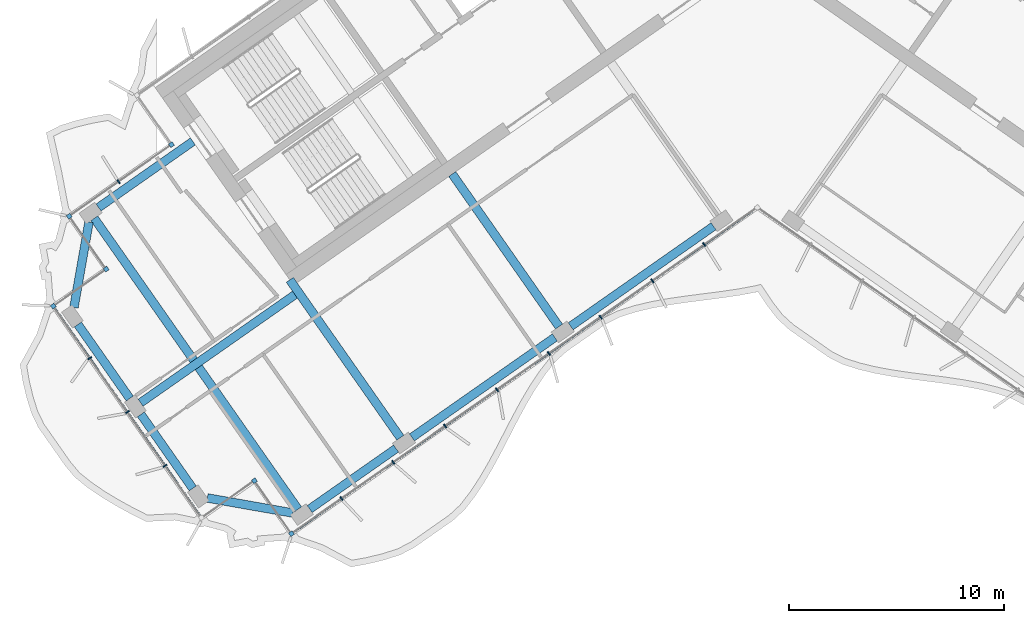
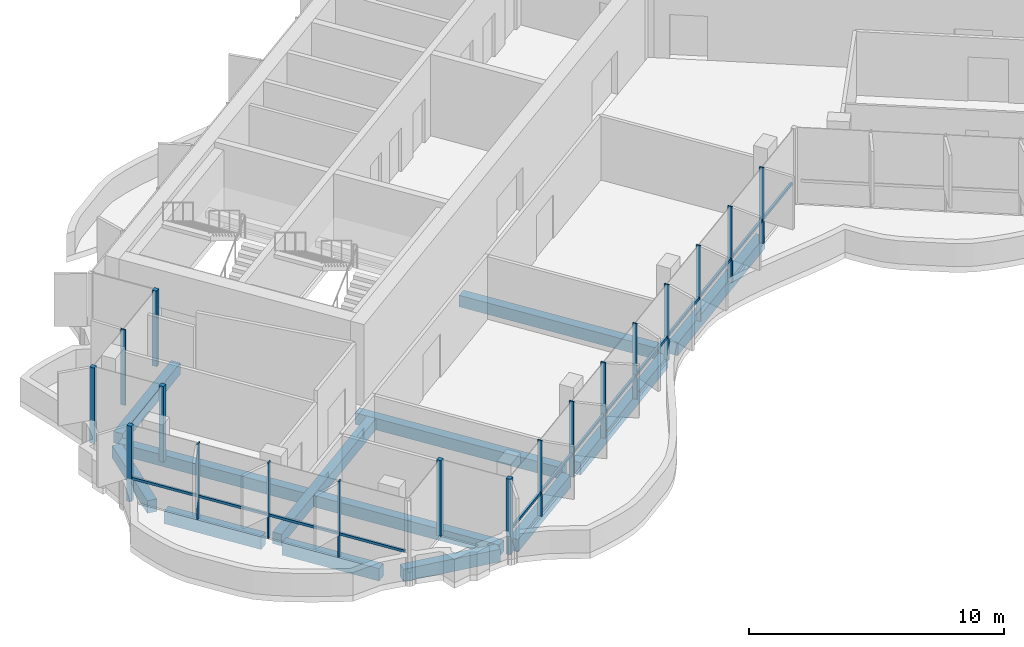
# One storey, part 2 of 18: 20 members, 12 beams, 2 elements without a shape of their own.
"""IFC4 building model written with IfcOpenShell, lengths in metres."""

import ifcopenshell
import ifcopenshell.guid

model = None  # the IFC model being written
_history = None  # IfcOwnerHistory: only IFC2X3 demands one
_inside = {}  # id of a spatial element -> (the spatial element, [elements in it])
_under = {}  # id of a project, library or spatial element -> (it, [spatial elements below it])
_declared = {}  # id of a project -> (the project, [libraries it declares])
_typed = {}  # id of a type object -> (the type object, [elements of that type])
_made_of = {}  # id of a material, layer set ... -> (it, [elements and type objects made of it])


def new_model(schema):
    """Start an empty IFC model of exactly this schema.

    Asked for "IFC4X3", IfcOpenShell would pick the latest addendum, in which some entities
    have other attributes; the version numbers below select the first issue.
    IFC2X3 requires an IfcOwnerHistory on every rooted entity: one is made here for all.
    """
    global model, _history
    if schema == "IFC4X3":
        model = ifcopenshell.file(schema_version=(4, 3, 0, 0))
    else:
        model = ifcopenshell.file(schema=schema)
    _inside.clear()
    _under.clear()
    _declared.clear()
    _typed.clear()
    _made_of.clear()
    _history = None
    if model.schema == "IFC2X3":
        org = make("IfcOrganization", Name="unknown")
        user = make(
            "IfcPersonAndOrganization",
            ThePerson=make("IfcPerson", FamilyName="unknown"),
            TheOrganization=org,
        )
        app = make(
            "IfcApplication",
            ApplicationDeveloper=org,
            Version="unknown",
            ApplicationFullName="unknown",
            ApplicationIdentifier="unknown",
        )
        _history = make(
            "IfcOwnerHistory",
            OwningUser=user,
            OwningApplication=app,
            ChangeAction="ADDED",
            CreationDate=0,
        )
    return model


def make(cls, **values):
    """One entity of the class cls with the attributes given. An attribute that is None is left unset."""
    return model.create_entity(
        cls, **{name: value for name, value in values.items() if value is not None}
    )


def rooted(cls, **values):
    """An entity with a GlobalId (a new one), such as an element, a storey or a relation."""
    return make(cls, GlobalId=ifcopenshell.guid.new(), OwnerHistory=_history, **values)


def si_unit(unit_type, name, prefix=None):
    """IfcSIUnit, for example si_unit("LENGTHUNIT", "METRE", prefix="MILLI")."""
    return make("IfcSIUnit", UnitType=unit_type, Prefix=prefix, Name=name)


def assignment(units):
    """IfcUnitAssignment: the units of a project."""
    return None if units is None else make("IfcUnitAssignment", Units=units)


def point(xyz):
    """IfcCartesianPoint."""
    return None if xyz is None else make("IfcCartesianPoint", Coordinates=xyz)


def direction(xyz):
    """IfcDirection."""
    return None if xyz is None else make("IfcDirection", DirectionRatios=xyz)


def frame(location, z_axis=None, x_axis=None):
    """IfcAxis2Placement3D, a coordinate frame: its origin and axes. An axis left out is left unset."""
    return make(
        "IfcAxis2Placement3D",
        Location=point(location),
        Axis=direction(z_axis),
        RefDirection=direction(x_axis),
    )


def frame_2d(location, x_axis=None):
    """IfcAxis2Placement2D, a coordinate frame in the plane: its origin and x axis."""
    return make(
        "IfcAxis2Placement2D", Location=point(location), RefDirection=direction(x_axis)
    )


def origin():
    """The frame at (0, 0, 0) with its axes left unset."""
    return frame((0.0, 0.0, 0.0))


def origin_2d():
    """The frame at (0, 0) in the plane with its x axis left unset."""
    return frame_2d((0.0, 0.0))


def place(relative_to, where):
    """IfcLocalPlacement: puts the frame where relative to a parent placement (None: the world)."""
    return make(
        "IfcLocalPlacement", PlacementRelTo=relative_to, RelativePlacement=where
    )


def context(
    kind, dimensions, precision=None, world=None, true_north=None, identifier=None
):
    """IfcGeometricRepresentationContext, for example the 3D "Model" context."""
    return make(
        "IfcGeometricRepresentationContext",
        ContextIdentifier=identifier,
        ContextType=kind,
        CoordinateSpaceDimension=dimensions,
        Precision=precision,
        WorldCoordinateSystem=world,
        TrueNorth=true_north,
    )


def subcontext(parent, identifier, kind, view, scale=None):
    """IfcGeometricRepresentationSubContext, for example "Body" below "Model"."""
    return make(
        "IfcGeometricRepresentationSubContext",
        ContextIdentifier=identifier,
        ContextType=kind,
        ParentContext=parent,
        TargetScale=scale,
        TargetView=view,
    )


def project(units=None, contexts=None):
    """IfcProject with its units and contexts."""
    return rooted(
        "IfcProject",
        Name="project",
        RepresentationContexts=contexts,
        UnitsInContext=assignment(units),
    )


def spatial(cls, under=None, at=None, **own):
    """A site, building, storey or space (cls), placed at a placement, below another one or the project."""
    s = rooted(cls, ObjectPlacement=at, **own)
    if under is not None:
        _under.setdefault(under.id(), (under, []))[1].append(s)
    return s


def profile(cls, at=None, kind="AREA", **sizes):
    """A parametric profile (cls). Its sizes go by their IFC names, for example OverallWidth=200.0."""
    return make(cls, ProfileType=kind, Position=at, **sizes)


def rectangle(**sizes):
    """IfcRectangleProfileDef."""
    return profile("IfcRectangleProfileDef", **sizes)


def extrude(swept, where, along, depth):
    """IfcExtrudedAreaSolid: the profile swept, set in the frame where, extruded along a direction by depth."""
    return make(
        "IfcExtrudedAreaSolid",
        SweptArea=swept,
        Position=where,
        ExtrudedDirection=direction(along),
        Depth=depth,
    )


def shape(context_of_items, identifier, shape_type, items):
    """IfcShapeRepresentation: the items that make up one representation, for example the "Body"."""
    return make(
        "IfcShapeRepresentation",
        ContextOfItems=context_of_items,
        RepresentationIdentifier=identifier,
        RepresentationType=shape_type,
        Items=items,
    )


def material(Name=None, Category=None):
    """IfcMaterial."""
    return make("IfcMaterial", Name=Name, Category=Category)


def material_profile(
    of_material, cross_section, Name=None, Category=None, Priority=None
):
    """IfcMaterialProfile: a cross section and its material."""
    return make(
        "IfcMaterialProfile",
        Name=Name,
        Material=of_material,
        Profile=cross_section,
        Priority=Priority,
        Category=Category,
    )


def profile_set(profiles, Name=None, composite=None):
    """IfcMaterialProfileSet."""
    return make(
        "IfcMaterialProfileSet",
        Name=Name,
        MaterialProfiles=profiles,
        CompositeProfile=composite,
    )


def made_of(thing, what):
    """Note that an element or type object is made of a material, layer set ...; save() writes the relation."""
    if what is not None:
        _made_of.setdefault(what.id(), (what, []))[1].append(thing)
    return thing


def type_object(cls, material=None, **own):
    """A type object (cls), such as IfcWallType, which elements share."""
    return made_of(rooted(cls, **own), material)


def element(
    cls,
    number,
    at=None,
    inside=None,
    cuts=None,
    type_object=None,
    material=None,
    context=None,
    identifier="Body",
    shape_type=None,
    held_by="IfcProductDefinitionShape",
    body=None,
    shapes=None,
    **own,
):
    """One element of the class cls, such as IfcWall. Its Tag is "e" and its number.

    at: its placement. inside: the storey or other place that contains it. cuts: it is an
    opening in that element (IfcRelVoidsElement). A single representation is given by context,
    identifier, shape_type and body (its items); several are given by shapes. held_by: the class
    of the entity that holds the representations. save() writes the other relations.
    """
    e = rooted(cls, Tag="e%d" % number, ObjectPlacement=at, **own)
    if body is not None:
        shapes = [shape(context, identifier, shape_type, body)]
    if shapes is not None:
        e.Representation = make(held_by, Representations=shapes)
    if inside is not None:
        _inside.setdefault(inside.id(), (inside, []))[1].append(e)
    if cuts is not None:
        rooted(
            "IfcRelVoidsElement", RelatingBuildingElement=cuts, RelatedOpeningElement=e
        )
    if type_object is not None:
        _typed.setdefault(type_object.id(), (type_object, []))[1].append(e)
    return made_of(e, material)


def aggregate(whole, parts):
    """IfcRelAggregates: a whole, such as a stair, and the parts it consists of."""
    return rooted("IfcRelAggregates", RelatingObject=whole, RelatedObjects=parts)


def save(model, path):
    """Write the relations noted so far, then the file.

    IfcRelAggregates (storeys below a building ...), IfcRelContainedInSpatialStructure (elements
    in a storey), IfcRelDefinesByType, IfcRelAssociatesMaterial and IfcRelDeclares: one each for
    every whole, place, type object, material and project.
    """
    for whole, parts in _under.values():
        aggregate(whole, parts)
    for where, things in _inside.values():
        rooted(
            "IfcRelContainedInSpatialStructure",
            RelatedElements=things,
            RelatingStructure=where,
        )
    for kind, things in _typed.values():
        rooted("IfcRelDefinesByType", RelatedObjects=things, RelatingType=kind)
    for what, things in _made_of.values():
        rooted("IfcRelAssociatesMaterial", RelatedObjects=things, RelatingMaterial=what)
    for by, libraries in _declared.values():
        rooted("IfcRelDeclares", RelatingContext=by, RelatedDefinitions=libraries)
    model.write(path)


model = new_model("IFC4")

# Units and contexts
model_context = context("Model", 3, precision=1e-05, world=origin(), true_north=direction((0.0, 1.0)))
body_context = subcontext(model_context, "Body", "Model", "MODEL_VIEW")
ifc_project = project(units=[si_unit("LENGTHUNIT", "METRE"), si_unit("AREAUNIT", "SQUARE_METRE"), si_unit("VOLUMEUNIT", "CUBIC_METRE"), si_unit("PLANEANGLEUNIT", "RADIAN"), si_unit("MASSUNIT", "GRAM", prefix="KILO")], contexts=[model_context])

# Site, building, storey
site_placement = place(None, origin())
site = spatial("IfcSite", under=ifc_project, at=site_placement, CompositionType="ELEMENT")
building_placement = place(site_placement, origin())
building = spatial("IfcBuilding", under=site, at=building_placement, Name="Tel Ilan Convention Tower", CompositionType="ELEMENT")
storey_placement = place(building_placement, frame((0.0, 0.0, 268.300048828125)))
storey = spatial("IfcBuildingStorey", under=building, at=storey_placement, Name="L63", CompositionType="ELEMENT", Elevation=268.300048828125)

# Beams
ifc_material_1 = material(Name="Concrete C40/50", Category="concrete")
ifc_material_profile_1 = material_profile(ifc_material_1, rectangle(XDim=0.39990234375, YDim=0.550048828125, at=origin_2d()), Name="RC 400x550")
ifc_profile_set_1 = profile_set([ifc_material_profile_1], Name="Concrete C40/50")
beam_type_1 = type_object("IfcBeamType", Name="Beam RC 400x550 Concrete C40/50", PredefinedType="BEAM", material=ifc_profile_set_1)
beam_1_placement = place(storey_placement, frame((-30.6005859375, -12.6982421875, -0.554931640625), z_axis=(0.819146154531, 0.573584847705, 0.0), x_axis=(-0.573584847705, 0.819146154531, 0.0)))
element("IfcBeam", 1, at=beam_1_placement, inside=storey, type_object=beam_type_1, Name="L63 beam W-W-BC-core", PredefinedType="BEAM", context=body_context, shape_type="SweptSolid", body=[
    extrude(rectangle(XDim=0.39990234375, YDim=0.550048828125, at=origin_2d()), origin(), (0.0, 0.0, 1.0), 5.349853515625),
])
beam_2_placement = place(storey_placement, frame((-9.209716796875, -18.229248046875, -0.554931640625), z_axis=(-0.573574099654, 0.819153680457, 0.0), x_axis=(-0.819153680457, -0.573574099654, 0.0)))
element("IfcBeam", 2, at=beam_2_placement, inside=storey, type_object=beam_type_1, Name="L63 beam W-W-F2-core", PredefinedType="BEAM", context=body_context, shape_type="SweptSolid", body=[
    extrude(rectangle(XDim=0.39990234375, YDim=0.550048828125, at=origin_2d()), origin(), (0.0, 0.0, 1.0), 8.64990234375),
])
beam_3_placement = place(storey_placement, frame((-16.58203125, -23.391357421875, -0.554931640625), z_axis=(-0.573584999642, 0.819146048141, 0.0), x_axis=(-0.819146048141, -0.573584999642, 0.0)))
element("IfcBeam", 3, at=beam_3_placement, inside=storey, type_object=beam_type_1, Name="L63 beam W-W-F3-core", PredefinedType="BEAM", context=body_context, shape_type="SweptSolid", body=[
    extrude(rectangle(XDim=0.39990234375, YDim=0.550048828125, at=origin_2d()), origin(), (0.0, 0.0, 1.0), 8.949951171875),
])
beam_4_placement = place(storey_placement, frame((-21.477783203125, -16.748046875, -0.554931640625), z_axis=(-0.819157197737, -0.573569076395, 0.0), x_axis=(0.573569076395, -0.819157197737, 0.0)))
element("IfcBeam", 4, at=beam_4_placement, inside=storey, type_object=beam_type_1, Name="L63 beam W-core-end", PredefinedType="BEAM", context=body_context, shape_type="SweptSolid", body=[
    extrude(rectangle(XDim=0.39990234375, YDim=0.550048828125, at=origin_2d()), origin(), (0.0, 0.0, 1.0), 8.75),
])
beam_5_placement = place(storey_placement, frame((-21.333251953125, -26.718017578125, -0.554931640625), z_axis=(-0.573574554643, 0.819153361872, 0.0), x_axis=(-0.819153361872, -0.573574554643, 0.0)))
element("IfcBeam", 5, at=beam_5_placement, inside=storey, type_object=beam_type_1, Name="L63 beam W-W-FC-W-BC", PredefinedType="BEAM", context=body_context, shape_type="SweptSolid", body=[
    extrude(rectangle(XDim=0.39990234375, YDim=0.550048828125, at=origin_2d()), origin(), (0.0, 0.0, 1.0), 16.499755859375),
])
ifc_material_2 = material(Name="Concrete C40/50", Category="concrete")
ifc_material_profile_2 = material_profile(ifc_material_2, rectangle(XDim=0.39990234375, YDim=0.60009765625, at=origin_2d()), Name="RC 400x600")
ifc_profile_set_2 = profile_set([ifc_material_profile_2], Name="Concrete C40/50")
beam_type_2 = type_object("IfcBeamType", Name="Beam RC 400x600 Concrete C40/50", PredefinedType="BEAM", material=ifc_profile_set_2)
beam_6_placement = place(storey_placement, frame((-2.033935546875, -13.57080078125, -0.580078125), z_axis=(-0.81914553362, -0.573585734437, 0.0), x_axis=(0.573585734437, -0.81914553362, 0.0)))
element("IfcBeam", 6, at=beam_6_placement, inside=storey, type_object=beam_type_2, Name="L63 beam W-W-F1-W-F2", PredefinedType="BEAM", context=body_context, shape_type="SweptSolid", body=[
    extrude(rectangle(XDim=0.39990234375, YDim=0.60009765625, at=origin_2d()), origin(), (0.0, 0.0, 1.0), 8.099853515625),
])
beam_7_placement = place(storey_placement, frame((-9.40625, -18.73291015625, -0.580078125), z_axis=(-0.819155449703, -0.573571572885, 0.0), x_axis=(0.573571572885, -0.819155449703, 0.0)))
element("IfcBeam", 7, at=beam_7_placement, inside=storey, type_object=beam_type_2, Name="L63 beam W-W-F2-W-F3", PredefinedType="BEAM", context=body_context, shape_type="SweptSolid", body=[
    extrude(rectangle(XDim=0.39990234375, YDim=0.60009765625, at=origin_2d()), origin(), (0.0, 0.0, 1.0), 8.10009765625),
])
beam_8_placement = place(storey_placement, frame((-16.778564453125, -23.895263671875, -0.580078125), z_axis=(-0.819154669329, -0.573572687386, 0.0), x_axis=(0.573572687386, -0.819154669329, 0.0)))
element("IfcBeam", 8, at=beam_8_placement, inside=storey, type_object=beam_type_2, Name="L63 beam W-W-F3-W-FC", PredefinedType="BEAM", context=body_context, shape_type="SweptSolid", body=[
    extrude(rectangle(XDim=0.39990234375, YDim=0.60009765625, at=origin_2d()), origin(), (0.0, 0.0, 1.0), 4.900146484375),
])
beam_9_placement = place(storey_placement, frame((-21.578857421875, -26.89013671875, -0.580078125), z_axis=(-0.984804894423, 0.173664388751, 0.0), x_axis=(-0.173664388751, -0.984804894423, 0.0)))
element("IfcBeam", 9, at=beam_9_placement, inside=storey, type_object=beam_type_2, Name="L63 beam W-W-FC-W-E1", PredefinedType="BEAM", context=body_context, shape_type="SweptSolid", body=[
    extrude(rectangle(XDim=0.39990234375, YDim=0.60009765625, at=origin_2d()), origin(), (0.0, 0.0, 1.0), 4.030517578125),
])
for number, where, z_axis, x_axis, name in (
    (10, (-26.22412109375, -25.748046875, -0.580078125), (-0.573563773994, 0.819160910421, 0.0), (-0.819160910421, -0.573563773994, 0.0), "L63 beam W-W-E1-W-E2"),
    (11, (-29.1494140625, -21.5703125, -0.580078125), (-0.573563773994, 0.819160910421, 0.0), (-0.819160910421, -0.573563773994, 0.0), "L63 beam W-W-E2-W-E3"),
):
    element("IfcBeam", number, at=place(storey_placement, frame(where, z_axis=z_axis, x_axis=x_axis)), inside=storey, type_object=beam_type_2, Name=name, PredefinedType="BEAM", context=body_context, shape_type="SweptSolid", body=[
        extrude(rectangle(XDim=0.39990234375, YDim=0.60009765625, at=origin_2d()), origin(), (0.0, 0.0, 1.0), 4.199951171875),
    ])
beam_10_placement = place(storey_placement, frame((-31.742919921875, -17.343505859375, -0.580078125), z_axis=(0.173664388751, 0.984804894423, 0.0), x_axis=(-0.984804894423, 0.173664388751, 0.0)))
element("IfcBeam", 12, at=beam_10_placement, inside=storey, type_object=beam_type_2, Name="L63 beam W-W-E3-W-BC", PredefinedType="BEAM", context=body_context, shape_type="SweptSolid", body=[
    extrude(rectangle(XDim=0.39990234375, YDim=0.60009765625, at=origin_2d()), origin(), (0.0, 0.0, 1.0), 4.030517578125),
])

# Curtain wall, member
ifc_material_3 = material(Name="Aluminium, bronze anodised", Category="aluminium")
curtain_wall_type_1 = type_object("IfcCurtainWallType", Name="CW2 STICK CURTAIN WALL, SPANDREL PANELS", PredefinedType="NOTDEFINED", material=ifc_material_3)
curtain_wall_1_placement = place(storey_placement, origin())
curtain_wall_1 = element("IfcCurtainWall", 13, at=curtain_wall_1_placement, inside=storey, type_object=curtain_wall_type_1, Name="Curtain wall CW2-48.01", PredefinedType="NOTDEFINED")
ifc_material_4 = material(Name="Aluminium, bronze anodised", Category="aluminium")
ifc_material_profile_3 = material_profile(ifc_material_4, rectangle(XDim=0.199951171875, YDim=0.199951171875, at=origin_2d()), Name="CW CORNER MULLION 200x200")
ifc_profile_set_3 = profile_set([ifc_material_profile_3], Name="Aluminium, bronze anodised")
member_type_1 = type_object("IfcMemberType", Name="CW CORNER MULLION 200x200", PredefinedType="MULLION", material=ifc_profile_set_3)
member_1_placement = place(storey_placement, frame((-27.213623046875, -9.77734375, 0.0), z_axis=(0.0, 0.0, 1.0), x_axis=(0.573576436351, -0.819152044289, 0.0)))
member_1 = element("IfcMember", 14, at=member_1_placement, type_object=member_type_1, Name="Corner mullion", PredefinedType="MULLION", context=body_context, shape_type="SweptSolid", body=[
    extrude(rectangle(XDim=0.199951171875, YDim=0.199951171875, at=origin_2d()), origin(), (0.0, 0.0, 1.0), 3.619873046875),
])
aggregate(curtain_wall_1, [member_1])

# Curtain wall, members
ifc_material_5 = material(Name="Aluminium, bronze anodised", Category="aluminium")
curtain_wall_type_2 = type_object("IfcCurtainWallType", Name="CW5 STICK CURTAIN WALL, UPPER OFFICE LOW-IRON TINTED GLASS", PredefinedType="NOTDEFINED", material=ifc_material_5)
curtain_wall_2_placement = place(storey_placement, origin())
curtain_wall_2 = element("IfcCurtainWall", 15, at=curtain_wall_2_placement, inside=storey, type_object=curtain_wall_type_2, Name="Curtain wall CW5-48.02", PredefinedType="NOTDEFINED")
member_2_placement = place(storey_placement, frame((-31.964599609375, -13.10400390625, 0.0), z_axis=(0.0, 0.0, 1.0), x_axis=(-0.819152044289, -0.573576436351, 0.0)))
member_2 = element("IfcMember", 16, at=member_2_placement, type_object=member_type_1, Name="Corner mullion", PredefinedType="MULLION", context=body_context, shape_type="SweptSolid", body=[
    extrude(rectangle(XDim=0.199951171875, YDim=0.199951171875, at=origin_2d()), origin(), (0.0, 0.0, 1.0), 3.619873046875),
])
member_3_placement = place(storey_placement, frame((-30.243896484375, -15.5615234375, 0.0), z_axis=(0.0, 0.0, 1.0), x_axis=(0.573576436351, -0.819152044289, 0.0)))
member_3 = element("IfcMember", 17, at=member_3_placement, type_object=member_type_1, Name="Corner mullion", PredefinedType="MULLION", context=body_context, shape_type="SweptSolid", body=[
    extrude(rectangle(XDim=0.199951171875, YDim=0.199951171875, at=origin_2d()), origin(), (0.0, 0.0, 1.0), 3.619873046875),
])
member_4_placement = place(storey_placement, frame((-32.701416015625, -17.2822265625, 0.0), z_axis=(0.0, 0.0, 1.0), x_axis=(-0.819152044289, -0.573576436351, 0.0)))
member_4 = element("IfcMember", 18, at=member_4_placement, type_object=member_type_1, Name="Corner mullion", PredefinedType="MULLION", context=body_context, shape_type="SweptSolid", body=[
    extrude(rectangle(XDim=0.199951171875, YDim=0.199951171875, at=origin_2d()), origin(), (0.0, 0.0, 1.0), 3.619873046875),
])
member_5_placement = place(storey_placement, frame((-23.36083984375, -25.391357421875, 0.0), z_axis=(0.0, 0.0, 1.0), x_axis=(0.819152044289, 0.573576436351, 0.0)))
member_5 = element("IfcMember", 19, at=member_5_placement, type_object=member_type_1, Name="Corner mullion", PredefinedType="MULLION", context=body_context, shape_type="SweptSolid", body=[
    extrude(rectangle(XDim=0.199951171875, YDim=0.199951171875, at=origin_2d()), origin(), (0.0, 0.0, 1.0), 3.619873046875),
])
member_6_placement = place(storey_placement, frame((-21.64013671875, -27.8486328125, 0.0), z_axis=(0.0, 0.0, 1.0), x_axis=(0.573576436351, -0.819152044289, 0.0)))
member_6 = element("IfcMember", 20, at=member_6_placement, type_object=member_type_1, Name="Corner mullion", PredefinedType="MULLION", context=body_context, shape_type="SweptSolid", body=[
    extrude(rectangle(XDim=0.199951171875, YDim=0.199951171875, at=origin_2d()), origin(), (0.0, 0.0, 1.0), 3.619873046875),
])
ifc_material_6 = material(Name="Aluminium, bronze anodised", Category="aluminium")
ifc_material_profile_4 = material_profile(ifc_material_6, rectangle(XDim=0.06005859375, YDim=0.199951171875, at=origin_2d()), Name="CW MULLION 60x200")
ifc_profile_set_4 = profile_set([ifc_material_profile_4], Name="Aluminium, bronze anodised")
member_type_2 = type_object("IfcMemberType", Name="CW MULLION 60x200", PredefinedType="MULLION", material=ifc_profile_set_4)
member_7_placement = place(storey_placement, frame((-29.6708984375, -11.498046875, 0.0), z_axis=(0.0, 0.0, 1.0), x_axis=(-0.819152044289, -0.573576436351, 0.0)))
member_7 = element("IfcMember", 21, at=member_7_placement, type_object=member_type_2, Name="Mullion", PredefinedType="MULLION", context=body_context, shape_type="SweptSolid", body=[
    extrude(rectangle(XDim=0.06005859375, YDim=0.199951171875, at=origin_2d()), origin(), (0.0, 0.0, 1.0), 3.619873046875),
])
member_8_placement = place(storey_placement, frame((-31.00927734375, -19.69873046875, 0.0), z_axis=(0.0, 0.0, 1.0), x_axis=(0.573576436351, -0.819152044289, 0.0)))
member_8 = element("IfcMember", 22, at=member_8_placement, type_object=member_type_2, Name="Mullion", PredefinedType="MULLION", context=body_context, shape_type="SweptSolid", body=[
    extrude(rectangle(XDim=0.06005859375, YDim=0.199951171875, at=origin_2d()), origin(), (0.0, 0.0, 1.0), 3.619873046875),
])
member_9_placement = place(storey_placement, frame((-29.259765625, -22.197021484375, 0.0), z_axis=(0.0, 0.0, 1.0), x_axis=(0.573576436351, -0.819152044289, 0.0)))
member_9 = element("IfcMember", 23, at=member_9_placement, type_object=member_type_2, Name="Mullion", PredefinedType="MULLION", context=body_context, shape_type="SweptSolid", body=[
    extrude(rectangle(XDim=0.06005859375, YDim=0.199951171875, at=origin_2d()), origin(), (0.0, 0.0, 1.0), 3.619873046875),
])
member_10_placement = place(storey_placement, frame((-27.510498046875, -24.695556640625, 0.0), z_axis=(0.0, 0.0, 1.0), x_axis=(0.573576436351, -0.819152044289, 0.0)))
member_10 = element("IfcMember", 24, at=member_10_placement, type_object=member_type_2, Name="Mullion", PredefinedType="MULLION", context=body_context, shape_type="SweptSolid", body=[
    extrude(rectangle(XDim=0.06005859375, YDim=0.199951171875, at=origin_2d()), origin(), (0.0, 0.0, 1.0), 3.619873046875),
])
member_11_placement = place(storey_placement, frame((-19.31494140625, -26.220458984375, 0.0), z_axis=(0.0, 0.0, 1.0), x_axis=(0.819152044289, 0.573576436351, 0.0)))
member_11 = element("IfcMember", 25, at=member_11_placement, type_object=member_type_2, Name="Mullion", PredefinedType="MULLION", context=body_context, shape_type="SweptSolid", body=[
    extrude(rectangle(XDim=0.06005859375, YDim=0.199951171875, at=origin_2d()), origin(), (0.0, 0.0, 1.0), 3.619873046875),
])
member_12_placement = place(storey_placement, frame((-16.90771484375, -24.534912109375, 0.0), z_axis=(0.0, 0.0, 1.0), x_axis=(0.819152044289, 0.573576436351, 0.0)))
member_12 = element("IfcMember", 26, at=member_12_placement, type_object=member_type_2, Name="Mullion", PredefinedType="MULLION", context=body_context, shape_type="SweptSolid", body=[
    extrude(rectangle(XDim=0.06005859375, YDim=0.199951171875, at=origin_2d()), origin(), (0.0, 0.0, 1.0), 3.619873046875),
])
member_13_placement = place(storey_placement, frame((-14.50048828125, -22.849365234375, 0.0), z_axis=(0.0, 0.0, 1.0), x_axis=(0.819152044289, 0.573576436351, 0.0)))
member_13 = element("IfcMember", 27, at=member_13_placement, type_object=member_type_2, Name="Mullion", PredefinedType="MULLION", context=body_context, shape_type="SweptSolid", body=[
    extrude(rectangle(XDim=0.06005859375, YDim=0.199951171875, at=origin_2d()), origin(), (0.0, 0.0, 1.0), 3.619873046875),
])
member_14_placement = place(storey_placement, frame((-12.09326171875, -21.163818359375, 0.0), z_axis=(0.0, 0.0, 1.0), x_axis=(0.819152044289, 0.573576436351, 0.0)))
member_14 = element("IfcMember", 28, at=member_14_placement, type_object=member_type_2, Name="Mullion", PredefinedType="MULLION", context=body_context, shape_type="SweptSolid", body=[
    extrude(rectangle(XDim=0.06005859375, YDim=0.199951171875, at=origin_2d()), origin(), (0.0, 0.0, 1.0), 3.619873046875),
])
member_15_placement = place(storey_placement, frame((-9.68603515625, -19.478271484375, 0.0), z_axis=(0.0, 0.0, 1.0), x_axis=(0.819152044289, 0.573576436351, 0.0)))
member_15 = element("IfcMember", 29, at=member_15_placement, type_object=member_type_2, Name="Mullion", PredefinedType="MULLION", context=body_context, shape_type="SweptSolid", body=[
    extrude(rectangle(XDim=0.06005859375, YDim=0.199951171875, at=origin_2d()), origin(), (0.0, 0.0, 1.0), 3.619873046875),
])
member_16_placement = place(storey_placement, frame((-7.279052734375, -17.792724609375, 0.0), z_axis=(0.0, 0.0, 1.0), x_axis=(0.819152044289, 0.573576436351, 0.0)))
member_16 = element("IfcMember", 30, at=member_16_placement, type_object=member_type_2, Name="Mullion", PredefinedType="MULLION", context=body_context, shape_type="SweptSolid", body=[
    extrude(rectangle(XDim=0.06005859375, YDim=0.199951171875, at=origin_2d()), origin(), (0.0, 0.0, 1.0), 3.619873046875),
])
member_17_placement = place(storey_placement, frame((-4.871826171875, -16.107177734375, 0.0), z_axis=(0.0, 0.0, 1.0), x_axis=(0.819152044289, 0.573576436351, 0.0)))
member_17 = element("IfcMember", 31, at=member_17_placement, type_object=member_type_2, Name="Mullion", PredefinedType="MULLION", context=body_context, shape_type="SweptSolid", body=[
    extrude(rectangle(XDim=0.06005859375, YDim=0.199951171875, at=origin_2d()), origin(), (0.0, 0.0, 1.0), 3.619873046875),
])
member_18_placement = place(storey_placement, frame((-2.464599609375, -14.421875, 0.0), z_axis=(0.0, 0.0, 1.0), x_axis=(0.819152044289, 0.573576436351, 0.0)))
member_18 = element("IfcMember", 32, at=member_18_placement, type_object=member_type_2, Name="Mullion", PredefinedType="MULLION", context=body_context, shape_type="SweptSolid", body=[
    extrude(rectangle(XDim=0.06005859375, YDim=0.199951171875, at=origin_2d()), origin(), (0.0, 0.0, 1.0), 3.619873046875),
])
ifc_material_7 = material(Name="Aluminium, bronze anodised", Category="aluminium")
ifc_material_profile_5 = material_profile(ifc_material_7, rectangle(XDim=0.10009765625, YDim=0.1201171875, at=origin_2d()), Name="CW TRANSOM 100x120")
ifc_profile_set_5 = profile_set([ifc_material_profile_5], Name="Aluminium, bronze anodised")
member_type_3 = type_object("IfcMemberType", Name="CW TRANSOM 100x120", PredefinedType="USERDEFINED", material=ifc_profile_set_5)
member_19_placement = place(storey_placement, frame((-32.64404296875, -17.364013671875, 1.099853515625), z_axis=(0.573581755582, -0.819148319698, 0.0), x_axis=(0.819148319698, 0.573581755582, 0.0)))
member_19 = element("IfcMember", 33, at=member_19_placement, type_object=member_type_3, Name="Transom", ObjectType="TRANSOM", PredefinedType="USERDEFINED", context=body_context, shape_type="SweptSolid", body=[
    extrude(rectangle(XDim=0.10009765625, YDim=0.1201171875, at=origin_2d()), origin(), (0.0, 0.0, 1.0), 11.800048828125),
])
member_20_placement = place(storey_placement, frame((-21.558349609375, -27.791259765625, 1.099853515625), z_axis=(0.819152212587, 0.573576195996, 0.0), x_axis=(-0.573576195996, 0.819152212587, 0.0)))
member_20 = element("IfcMember", 34, at=member_20_placement, type_object=member_type_3, Name="Transom", ObjectType="TRANSOM", PredefinedType="USERDEFINED", context=body_context, shape_type="SweptSolid", body=[
    extrude(rectangle(XDim=0.10009765625, YDim=0.1201171875, at=origin_2d()), origin(), (0.0, 0.0, 1.0), 26.0478515625),
])
aggregate(curtain_wall_2, [member_7, member_2, member_3, member_4, member_8, member_9, member_10, member_19, member_5, member_6, member_11, member_12, member_13, member_14, member_15, member_16, member_17, member_18, member_20])

save(model, "model.ifc")
